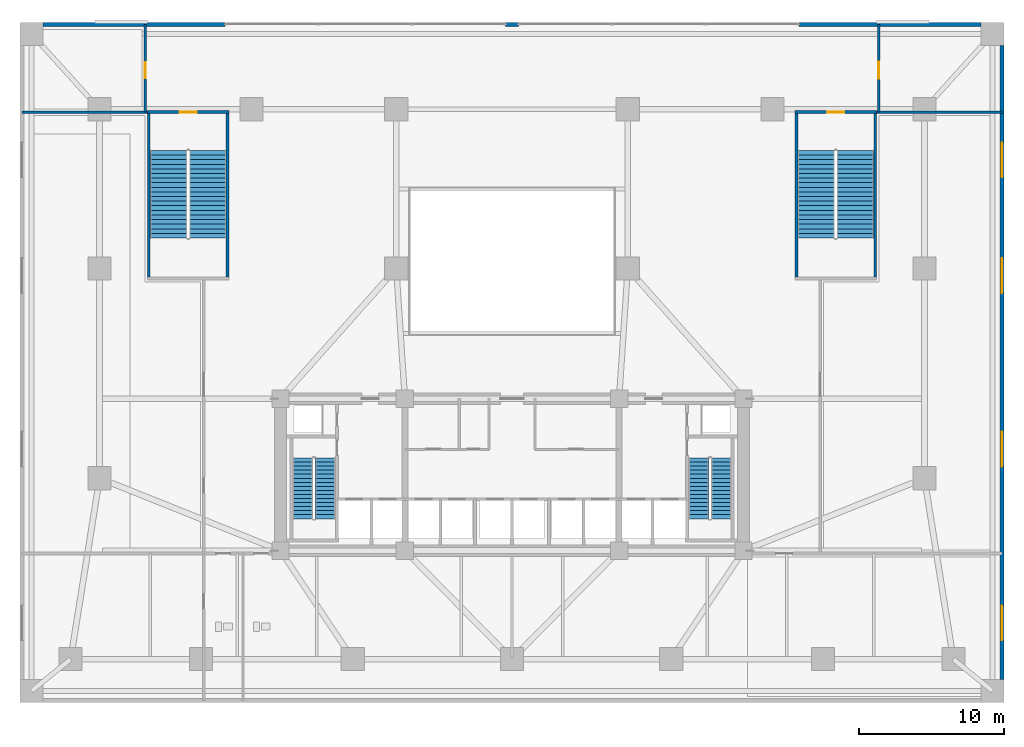
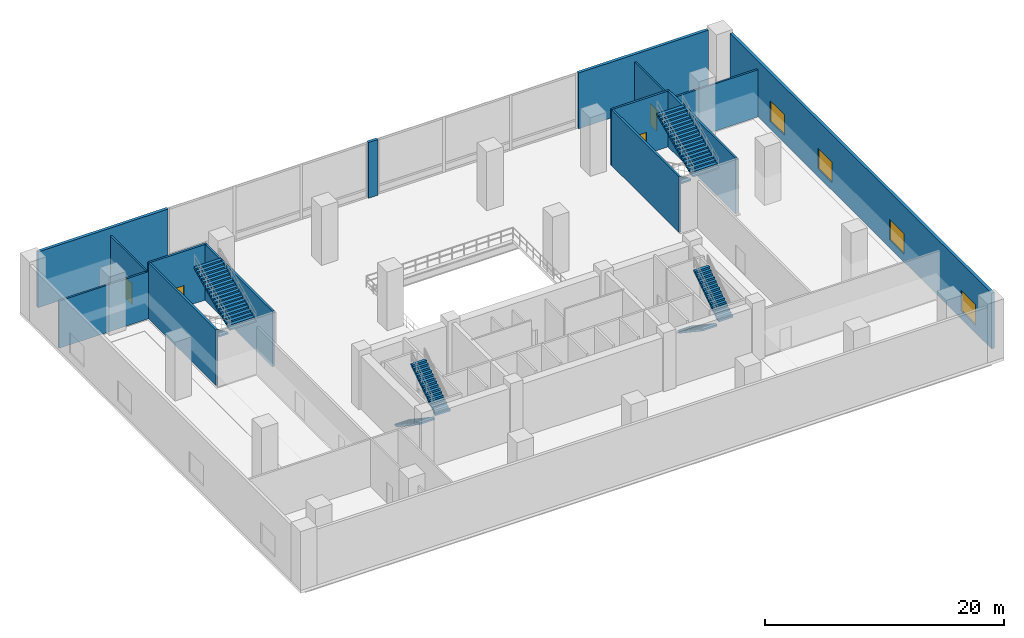
# One storey, part 9 of 16: 14 walls, 8 stair flights, 4 doors, 4 windows, 8 openings, 4 elements without a shape of their own.
"""IFC4 building model written with IfcOpenShell, lengths in metres."""

from ifc_helpers import new_model, si_unit, direction, frame, frame_2d, origin, place, context, subcontext, project, spatial, polyline, rectangle, outline, extrude, material, layer, layer_set, type_object, element, fill, aggregate, save


model = new_model("IFC4")

# Units and contexts
model_context = context("Model", 3, precision=1e-05, world=origin(), true_north=direction((0.0, 1.0)))
body_context = subcontext(model_context, "Body", "Model", "MODEL_VIEW")
ifc_project = project(units=[si_unit("LENGTHUNIT", "METRE"), si_unit("AREAUNIT", "SQUARE_METRE"), si_unit("VOLUMEUNIT", "CUBIC_METRE"), si_unit("PLANEANGLEUNIT", "RADIAN"), si_unit("MASSUNIT", "GRAM", prefix="KILO")], contexts=[model_context])

# Site, building, storey
site_placement = place(None, origin())
site = spatial("IfcSite", under=ifc_project, at=site_placement, CompositionType="ELEMENT")
building_placement = place(site_placement, origin())
building = spatial("IfcBuilding", under=site, at=building_placement, Name="Solmavex Isthmus Hotel", CompositionType="ELEMENT")
storey_placement = place(building_placement, frame((0.0, 0.0, 5.39990234375)))
storey = spatial("IfcBuildingStorey", under=building, at=storey_placement, Name="L02", CompositionType="ELEMENT", Elevation=5.39990234375)

# Walls
ifc_material_1 = material(Name="Precast Concrete C40/50", Category="concrete")
ifc_layer_1 = layer(ifc_material_1, 0.280029296875)
ifc_layer_set_1 = layer_set([ifc_layer_1], Name="Precast Concrete C40/50")
wall_type_1 = type_object("IfcWallType", Name="EW-POD-280", PredefinedType="STANDARD", material=ifc_layer_set_1)
for number, where, z_axis, x_axis, name in (
    (1, (-32.39990234375, 23.360107421875, 0.0), (0.0, 0.0, 1.0), (1.0, 0.0, 0.0), "Podium Facade Wall NW L02"),
    (2, (19.840087890625, 23.360107421875, 0.0), (0.0, 0.0, 1.0), (1.0, 0.0, 0.0), "Podium Facade Wall NE L02"),
):
    element("IfcWall", number, at=place(storey_placement, frame(where, z_axis=z_axis, x_axis=x_axis)), inside=storey, type_object=wall_type_1, Name=name, PredefinedType="STANDARD", context=body_context, shape_type="SweptSolid", body=[
        extrude(rectangle(XDim=12.559814453125, YDim=0.280029296875, at=frame_2d((6.27978515625, 0.0))), origin(), (0.0, 0.0, 1.0), 5.7001953125),
    ])
wall_1_placement = place(storey_placement, frame((-0.449951171875, 23.360107421875, 0.0), z_axis=(0.0, 0.0, 1.0), x_axis=(1.0, 0.0, 0.0)))
element("IfcWall", 3, at=wall_1_placement, inside=storey, type_object=wall_type_1, Name="Podium Atrium Center Pier L02", PredefinedType="STANDARD", context=body_context, shape_type="SweptSolid", body=[
    extrude(rectangle(XDim=0.89990234375, YDim=0.280029296875, at=frame_2d((0.449951171875, 0.0))), origin(), (0.0, 0.0, 1.0), 5.7001953125),
])

# Wall, openings, windows
wall_2_placement = place(storey_placement, frame((33.860107421875, -21.89990234375, 0.0), z_axis=(0.0, 0.0, 1.0), x_axis=(0.0, 1.0, 0.0)))
wall_2 = element("IfcWall", 4, at=wall_2_placement, inside=storey, type_object=wall_type_1, Name="Podium Facade Wall East L02", PredefinedType="STANDARD", context=body_context, shape_type="SweptSolid", body=[
    extrude(rectangle(XDim=43.7998046875, YDim=0.280029296875, at=frame_2d((21.89990234375, 0.0))), origin(), (0.0, 0.0, 1.0), 5.7001953125),
])
opening_1_placement = place(wall_2_placement, frame((2.699951171875, 0.0, 0.800048828125)))
opening_1 = element("IfcOpeningElement", 5, at=opening_1_placement, cuts=wall_2, Name="Opening WN-01", PredefinedType="OPENING", context=body_context, shape_type="SweptSolid", body=[
    extrude(rectangle(XDim=2.39990234375, YDim=2.10009765625, at=frame_2d((1.199951171875, 1.050048828125))), frame((0.0, 0.14990234375, 0.0), z_axis=(0.0, -1.0, 0.0), x_axis=(1.0, 0.0, 0.0)), (0.0, 0.0, 1.0), 0.300048828125),
])
opening_2_placement = place(wall_2_placement, frame((14.699951171875, 0.0, 0.800048828125)))
opening_2 = element("IfcOpeningElement", 6, at=opening_2_placement, cuts=wall_2, Name="Opening WN-01", PredefinedType="OPENING", context=body_context, shape_type="SweptSolid", body=[
    extrude(rectangle(XDim=2.39990234375, YDim=2.10009765625, at=frame_2d((1.199951171875, 1.050048828125))), frame((0.0, 0.14990234375, 0.0), z_axis=(0.0, -1.0, 0.0), x_axis=(1.0, 0.0, 0.0)), (0.0, 0.0, 1.0), 0.300048828125),
])
opening_3_placement = place(wall_2_placement, frame((26.699951171875, 0.0, 0.800048828125)))
opening_3 = element("IfcOpeningElement", 7, at=opening_3_placement, cuts=wall_2, Name="Opening WN-01", PredefinedType="OPENING", context=body_context, shape_type="SweptSolid", body=[
    extrude(rectangle(XDim=2.39990234375, YDim=2.10009765625, at=frame_2d((1.199951171875, 1.050048828125))), frame((0.0, 0.14990234375, 0.0), z_axis=(0.0, -1.0, 0.0), x_axis=(1.0, 0.0, 0.0)), (0.0, 0.0, 1.0), 0.300048828125),
])
opening_4_placement = place(wall_2_placement, frame((34.699951171875, 0.0, 0.800048828125)))
opening_4 = element("IfcOpeningElement", 8, at=opening_4_placement, cuts=wall_2, Name="Opening WN-01", PredefinedType="OPENING", context=body_context, shape_type="SweptSolid", body=[
    extrude(rectangle(XDim=2.39990234375, YDim=2.10009765625, at=frame_2d((1.199951171875, 1.050048828125))), frame((0.0, 0.14990234375, 0.0), z_axis=(0.0, -1.0, 0.0), x_axis=(1.0, 0.0, 0.0)), (0.0, 0.0, 1.0), 0.300048828125),
])
ifc_material_2 = material(Name="Clear low-E laminated glass", Category="glass")
window_type = type_object("IfcWindowType", Name="WIN-POD-2400", PartitioningType="SINGLE_PANEL", PredefinedType="WINDOW", material=ifc_material_2)
window_1_placement = place(opening_1_placement, origin())
window_1 = element("IfcWindow", 9, at=window_1_placement, inside=storey, type_object=window_type, Name="Podium Ballroom Window L02-E1", OverallHeight=2.10009765625, OverallWidth=2.39990234375, PartitioningType="SINGLE_PANEL", PredefinedType="WINDOW", context=body_context, shape_type="SweptSolid", body=[
    extrude(rectangle(XDim=2.39990234375, YDim=2.10009765625, at=frame_2d((1.199951171875, 1.050048828125))), frame((0.0, 0.030029296875, 0.0), z_axis=(0.0, -1.0, 0.0), x_axis=(1.0, 0.0, 0.0)), (0.0, 0.0, 1.0), 0.06005859375),
])
fill(opening_1, window_1)
window_2_placement = place(opening_2_placement, origin())
window_2 = element("IfcWindow", 10, at=window_2_placement, inside=storey, type_object=window_type, Name="Podium Ballroom Window L02-E2", OverallHeight=2.10009765625, OverallWidth=2.39990234375, PartitioningType="SINGLE_PANEL", PredefinedType="WINDOW", context=body_context, shape_type="SweptSolid", body=[
    extrude(rectangle(XDim=2.39990234375, YDim=2.10009765625, at=frame_2d((1.199951171875, 1.050048828125))), frame((0.0, 0.030029296875, 0.0), z_axis=(0.0, -1.0, 0.0), x_axis=(1.0, 0.0, 0.0)), (0.0, 0.0, 1.0), 0.06005859375),
])
fill(opening_2, window_2)
window_3_placement = place(opening_3_placement, origin())
window_3 = element("IfcWindow", 11, at=window_3_placement, inside=storey, type_object=window_type, Name="Podium Ballroom Window L02-E3", OverallHeight=2.10009765625, OverallWidth=2.39990234375, PartitioningType="SINGLE_PANEL", PredefinedType="WINDOW", context=body_context, shape_type="SweptSolid", body=[
    extrude(rectangle(XDim=2.39990234375, YDim=2.10009765625, at=frame_2d((1.199951171875, 1.050048828125))), frame((0.0, 0.030029296875, 0.0), z_axis=(0.0, -1.0, 0.0), x_axis=(1.0, 0.0, 0.0)), (0.0, 0.0, 1.0), 0.06005859375),
])
fill(opening_3, window_3)
window_4_placement = place(opening_4_placement, origin())
window_4 = element("IfcWindow", 12, at=window_4_placement, inside=storey, type_object=window_type, Name="Podium Ballroom Window L02-E4", OverallHeight=2.10009765625, OverallWidth=2.39990234375, PartitioningType="SINGLE_PANEL", PredefinedType="WINDOW", context=body_context, shape_type="SweptSolid", body=[
    extrude(rectangle(XDim=2.39990234375, YDim=2.10009765625, at=frame_2d((1.199951171875, 1.050048828125))), frame((0.0, 0.030029296875, 0.0), z_axis=(0.0, -1.0, 0.0), x_axis=(1.0, 0.0, 0.0)), (0.0, 0.0, 1.0), 0.06005859375),
])
fill(opening_4, window_4)

# Wall, opening, door
ifc_material_3 = material(Name="Gypsum plasterboard lining", Category="gypsum")
ifc_layer_2 = layer(ifc_material_3, 0.159912109375)
ifc_layer_set_2 = layer_set([ifc_layer_2], Name="Gypsum plasterboard lining")
wall_type_2 = type_object("IfcWallType", Name="IW-COMP-160", PredefinedType="PARTITIONING", material=ifc_layer_set_2)
wall_3_placement = place(storey_placement, frame((-25.35009765625, 17.300048828125, 0.0), z_axis=(0.0, 0.0, 1.0), x_axis=(0.0, 1.0, 0.0)))
wall_3 = element("IfcWall", 13, at=wall_3_placement, inside=storey, type_object=wall_type_2, Name="Interior Partition Wall W-L02-NORTH-WV", PredefinedType="PARTITIONING", context=body_context, shape_type="SweptSolid", body=[
    extrude(rectangle(XDim=6.06005859375, YDim=0.159912109375, at=frame_2d((3.030029296875, 0.0))), origin(), (0.0, 0.0, 1.0), 4.911865234375),
])
opening_5_placement = place(wall_3_placement, frame((2.35009765625, 0.0, 0.0)))
opening_5 = element("IfcOpeningElement", 14, at=opening_5_placement, cuts=wall_3, Name="Opening ID-C110", PredefinedType="OPENING", context=body_context, shape_type="SweptSolid", body=[
    extrude(rectangle(XDim=1.10009765625, YDim=2.14990234375, at=frame_2d((0.550048828125, 1.074951171875))), frame((0.0, 0.08984375, 0.0), z_axis=(0.0, -1.0, 0.0), x_axis=(1.0, 0.0, 0.0)), (0.0, 0.0, 1.0), 0.179931640625),
])
ifc_material_4 = material(Name="Hardwood timber", Category="wood")
door_type_1 = type_object("IfcDoorType", Name="IDR-FD60-1100", OperationType="NOTDEFINED", PredefinedType="DOOR", material=ifc_material_4)
door_1_placement = place(opening_5_placement, origin())
door_1 = element("IfcDoor", 15, at=door_1_placement, inside=storey, type_object=door_type_1, Name="VIP Coat Room Door L02", OperationType="SINGLE_SWING_RIGHT", OverallHeight=2.14990234375, OverallWidth=1.10009765625, PredefinedType="DOOR", context=body_context, shape_type="SweptSolid", body=[
    extrude(rectangle(XDim=1.10009765625, YDim=2.14990234375, at=frame_2d((0.550048828125, 1.074951171875))), frame((0.0, 0.02490234375, 0.0), z_axis=(0.0, -1.0, 0.0), x_axis=(1.0, 0.0, 0.0)), (0.0, 0.0, 1.0), 0.050048828125),
])
fill(opening_5, door_1)

wall_4_placement = place(storey_placement, frame((25.35009765625, 17.300048828125, 0.0), z_axis=(0.0, 0.0, 1.0), x_axis=(0.0, 1.0, 0.0)))
wall_4 = element("IfcWall", 16, at=wall_4_placement, inside=storey, type_object=wall_type_2, Name="Interior Partition Wall W-L02-NORTH-EV", PredefinedType="PARTITIONING", context=body_context, shape_type="SweptSolid", body=[
    extrude(rectangle(XDim=6.06005859375, YDim=0.159912109375, at=frame_2d((3.030029296875, 0.0))), origin(), (0.0, 0.0, 1.0), 4.911865234375),
])
opening_6_placement = place(wall_4_placement, frame((2.324951171875, 0.0, 0.0)))
opening_6 = element("IfcOpeningElement", 17, at=opening_6_placement, cuts=wall_4, Name="Opening ID-C115", PredefinedType="OPENING", context=body_context, shape_type="SweptSolid", body=[
    extrude(rectangle(XDim=1.14990234375, YDim=2.199951171875, at=frame_2d((0.574951171875, 1.10009765625))), frame((0.0, 0.08984375, 0.0), z_axis=(0.0, -1.0, 0.0), x_axis=(1.0, 0.0, 0.0)), (0.0, 0.0, 1.0), 0.179931640625),
])
door_type_2 = type_object("IfcDoorType", Name="IDR-FD60-1150", OperationType="NOTDEFINED", PredefinedType="DOOR", material=ifc_material_4)
door_2_placement = place(opening_6_placement, origin())
door_2 = element("IfcDoor", 18, at=door_2_placement, inside=storey, type_object=door_type_2, Name="Ballroom Store Door L02", OperationType="SINGLE_SWING_LEFT", OverallHeight=2.199951171875, OverallWidth=1.14990234375, PredefinedType="DOOR", context=body_context, shape_type="SweptSolid", body=[
    extrude(rectangle(XDim=1.14990234375, YDim=2.199951171875, at=frame_2d((0.574951171875, 1.10009765625))), frame((0.0, 0.02490234375, 0.0), z_axis=(0.0, -1.0, 0.0), x_axis=(1.0, 0.0, 0.0)), (0.0, 0.0, 1.0), 0.050048828125),
])
fill(opening_6, door_2)

# Walls
ifc_material_5 = material(Name="Concrete C40/50", Category="concrete")
ifc_layer_3 = layer(ifc_material_5, 0.179931640625)
ifc_layer_set_3 = layer_set([ifc_layer_3], Name="Concrete C40/50")
wall_type_3 = type_object("IfcWallType", Name="IW-SHAFT-180", PredefinedType="PARTITIONING", material=ifc_layer_set_3)
for number, where, z_axis, x_axis, name in (
    (19, (-33.860107421875, 17.300048828125, 0.0), (0.0, 0.0, 1.0), (1.0, 0.0, 0.0), "Interior Partition Wall W-L02-NORTH-W"),
    (20, (25.199951171875, 17.300048828125, 0.0), (0.0, 0.0, 1.0), (1.0, 0.0, 0.0), "Interior Partition Wall W-L02-NORTH-E"),
):
    element("IfcWall", number, at=place(storey_placement, frame(where, z_axis=z_axis, x_axis=x_axis)), inside=storey, type_object=wall_type_3, Name=name, PredefinedType="PARTITIONING", context=body_context, shape_type="SweptSolid", body=[
        extrude(rectangle(XDim=8.66015625, YDim=0.179931640625, at=frame_2d((4.330078125, 0.0))), origin(), (0.0, 0.0, 1.0), 4.82958984375),
    ])

# Wall, opening, door
ifc_layer_4 = layer(ifc_material_5, 0.199951171875)
ifc_layer_set_4 = layer_set([ifc_layer_4], Name="Concrete C40/50")
wall_type_4 = type_object("IfcWallType", Name="WALL-SW-200", PredefinedType="SOLIDWALL", material=ifc_layer_set_4)
wall_5_placement = place(storey_placement, frame((19.550048828125, 17.300048828125, 0.0), z_axis=(0.0, 0.0, 1.0), x_axis=(1.0, 0.0, 0.0)))
wall_5 = element("IfcWall", 21, at=wall_5_placement, inside=storey, type_object=wall_type_4, Name="Stairwell Structural Wall SW-L02-ST3-N", PredefinedType="SOLIDWALL", context=body_context, shape_type="SweptSolid", body=[
    extrude(rectangle(XDim=5.64990234375, YDim=0.199951171875, at=frame_2d((2.824951171875, 0.0))), origin(), (0.0, 0.0, 1.0), 5.7001953125),
])
opening_7_placement = place(wall_5_placement, frame((2.25, 0.0, 0.0)))
opening_7 = element("IfcOpeningElement", 22, at=opening_7_placement, cuts=wall_5, Name="Opening ID-F115", PredefinedType="OPENING", context=body_context, shape_type="SweptSolid", body=[
    extrude(rectangle(XDim=1.14990234375, YDim=2.199951171875, at=frame_2d((0.574951171875, 1.10009765625))), frame((0.0, 0.10986328125, 0.0), z_axis=(0.0, -1.0, 0.0), x_axis=(1.0, 0.0, 0.0)), (0.0, 0.0, 1.0), 0.219970703125),
])
ifc_material_6 = material(Name="Steel ASTM A500 Grade C", Category="steel")
door_type_3 = type_object("IfcDoorType", Name="IDR-FD90-1150", OperationType="NOTDEFINED", PredefinedType="DOOR", material=ifc_material_6)
door_3_placement = place(opening_7_placement, origin())
door_3 = element("IfcDoor", 23, at=door_3_placement, inside=storey, type_object=door_type_3, Name="Podium Stair ST3 Fire Door L02", OperationType="SINGLE_SWING_LEFT", OverallHeight=2.199951171875, OverallWidth=1.14990234375, PredefinedType="DOOR", context=body_context, shape_type="SweptSolid", body=[
    extrude(rectangle(XDim=1.14990234375, YDim=2.199951171875, at=frame_2d((0.574951171875, 1.10009765625))), frame((0.0, 0.02490234375, 0.0), z_axis=(0.0, -1.0, 0.0), x_axis=(1.0, 0.0, 0.0)), (0.0, 0.0, 1.0), 0.050048828125),
])
fill(opening_7, door_3)

# Walls
for number, where, z_axis, x_axis, name in (
    (24, (19.64990234375, 5.89990234375, 0.0), (0.0, 0.0, 1.0), (0.0, 1.0, 0.0), "Stairwell Structural Wall SW-L02-ST3-W"),
    (25, (25.10009765625, 5.89990234375, 0.0), (0.0, 0.0, 1.0), (0.0, 1.0, 0.0), "Stairwell Structural Wall SW-L02-ST3-E"),
):
    element("IfcWall", number, at=place(storey_placement, frame(where, z_axis=z_axis, x_axis=x_axis)), inside=storey, type_object=wall_type_4, Name=name, PredefinedType="SOLIDWALL", context=body_context, shape_type="SweptSolid", body=[
        extrude(rectangle(XDim=11.300048828125, YDim=0.199951171875, at=frame_2d((5.64990234375, 0.0))), origin(), (0.0, 0.0, 1.0), 5.7001953125),
    ])

# Wall, opening, door
wall_6_placement = place(storey_placement, frame((-25.199951171875, 17.300048828125, 0.0), z_axis=(0.0, 0.0, 1.0), x_axis=(1.0, 0.0, 0.0)))
wall_6 = element("IfcWall", 26, at=wall_6_placement, inside=storey, type_object=wall_type_4, Name="Stairwell Structural Wall SW-L02-ST4-N", PredefinedType="SOLIDWALL", context=body_context, shape_type="SweptSolid", body=[
    extrude(rectangle(XDim=5.64990234375, YDim=0.199951171875, at=frame_2d((2.824951171875, 0.0))), origin(), (0.0, 0.0, 1.0), 5.7001953125),
])
opening_8_placement = place(wall_6_placement, frame((2.25, 0.0, 0.0)))
opening_8 = element("IfcOpeningElement", 27, at=opening_8_placement, cuts=wall_6, Name="Opening ID-F115", PredefinedType="OPENING", context=body_context, shape_type="SweptSolid", body=[
    extrude(rectangle(XDim=1.14990234375, YDim=2.199951171875, at=frame_2d((0.574951171875, 1.10009765625))), frame((0.0, 0.10986328125, 0.0), z_axis=(0.0, -1.0, 0.0), x_axis=(1.0, 0.0, 0.0)), (0.0, 0.0, 1.0), 0.219970703125),
])
door_4_placement = place(opening_8_placement, origin())
door_4 = element("IfcDoor", 28, at=door_4_placement, inside=storey, type_object=door_type_3, Name="Podium Stair ST4 Fire Door L02", OperationType="SINGLE_SWING_RIGHT", OverallHeight=2.199951171875, OverallWidth=1.14990234375, PredefinedType="DOOR", context=body_context, shape_type="SweptSolid", body=[
    extrude(rectangle(XDim=1.14990234375, YDim=2.199951171875, at=frame_2d((0.574951171875, 1.10009765625))), frame((0.0, 0.02490234375, 0.0), z_axis=(0.0, -1.0, 0.0), x_axis=(1.0, 0.0, 0.0)), (0.0, 0.0, 1.0), 0.050048828125),
])
fill(opening_8, door_4)

# Walls
for number, where, z_axis, x_axis, name in (
    (29, (-25.10009765625, 5.89990234375, 0.0), (0.0, 0.0, 1.0), (0.0, 1.0, 0.0), "Stairwell Structural Wall SW-L02-ST4-W"),
    (30, (-19.64990234375, 5.89990234375, 0.0), (0.0, 0.0, 1.0), (0.0, 1.0, 0.0), "Stairwell Structural Wall SW-L02-ST4-E"),
):
    element("IfcWall", number, at=place(storey_placement, frame(where, z_axis=z_axis, x_axis=x_axis)), inside=storey, type_object=wall_type_4, Name=name, PredefinedType="SOLIDWALL", context=body_context, shape_type="SweptSolid", body=[
        extrude(rectangle(XDim=11.300048828125, YDim=0.199951171875, at=frame_2d((5.64990234375, 0.0))), origin(), (0.0, 0.0, 1.0), 5.7001953125),
    ])

# Stair, stair flights
stair_type_1 = type_object("IfcStairType", Name="STR-ST-1", PredefinedType="HALF_TURN_STAIR", material=ifc_material_5)
stair_1_placement = place(storey_placement, origin())
stair_1 = element("IfcStair", 31, at=stair_1_placement, inside=storey, type_object=stair_type_1, Name="L02 Protected Exit Stair ST-1", PredefinedType="HALF_TURN_STAIR")
stair_flight_type_1 = type_object("IfcStairFlightType", Name="SFL-ST-1", PredefinedType="STRAIGHT", material=ifc_material_5)
stair_flight_1_placement = place(storey_placement, frame((-14.449951171875, -6.60009765625, 0.0), z_axis=(0.0, 0.0, 1.0), x_axis=(0.0, -1.0, 0.0)))
stair_flight_1 = element("IfcStairFlight", 32, at=stair_flight_1_placement, type_object=stair_flight_type_1, Name="ST-1 flight 1", NumberOfRisers=16, NumberOfTreads=15, PredefinedType="STRAIGHT", RiserHeight=0.1875, TreadLength=0.28, context=body_context, shape_type="SweptSolid", body=[
    extrude(outline(polyline([(0.0, 0.0), (0.0, 0.1875), (0.280029296875, 0.1875), (0.280029296875, 0.375), (0.56005859375, 0.375), (0.56005859375, 0.5625), (0.840087890625, 0.5625), (0.840087890625, 0.75), (1.1201171875, 0.75), (1.1201171875, 0.9375), (1.39990234375, 0.9375), (1.39990234375, 1.125), (1.679931640625, 1.125), (1.679931640625, 1.3125), (1.9599609375, 1.3125), (1.9599609375, 1.5), (2.239990234375, 1.5), (2.239990234375, 1.6875), (2.52001953125, 1.6875), (2.52001953125, 1.875), (2.800048828125, 1.875), (2.800048828125, 2.0625), (3.080078125, 2.0625), (3.080078125, 2.25), (3.360107421875, 2.25), (3.360107421875, 2.4375), (3.639892578125, 2.4375), (3.639892578125, 2.625), (3.919921875, 2.625), (3.919921875, 2.8125), (4.199951171875, 2.8125), (4.199951171875, 3.0), (4.199951171875, 2.632080078125), (0.26953125, 0.0), (0.0, 0.0)])), frame((0.0, 0.699951171875, 0.0), z_axis=(0.0, -1.0, 0.0), x_axis=(1.0, 0.0, 0.0)), (0.0, 0.0, 1.0), 1.39990234375),
])
stair_flight_2_placement = place(storey_placement, frame((-12.89990234375, -10.800048828125, 3.0), z_axis=(0.0, 0.0, 1.0), x_axis=(0.0, 1.0, 0.0)))
stair_flight_2 = element("IfcStairFlight", 33, at=stair_flight_2_placement, type_object=stair_flight_type_1, Name="ST-1 flight 2", NumberOfRisers=16, NumberOfTreads=15, PredefinedType="STRAIGHT", RiserHeight=0.1875, TreadLength=0.28, context=body_context, shape_type="SweptSolid", body=[
    extrude(outline(polyline([(0.0, 0.0), (0.0, 0.1875), (0.280029296875, 0.1875), (0.280029296875, 0.375), (0.56005859375, 0.375), (0.56005859375, 0.5625), (0.840087890625, 0.5625), (0.840087890625, 0.75), (1.1201171875, 0.75), (1.1201171875, 0.9375), (1.39990234375, 0.9375), (1.39990234375, 1.125), (1.679931640625, 1.125), (1.679931640625, 1.3125), (1.9599609375, 1.3125), (1.9599609375, 1.5), (2.239990234375, 1.5), (2.239990234375, 1.6875), (2.52001953125, 1.6875), (2.52001953125, 1.875), (2.800048828125, 1.875), (2.800048828125, 2.0625), (3.080078125, 2.0625), (3.080078125, 2.25), (3.360107421875, 2.25), (3.360107421875, 2.4375), (3.639892578125, 2.4375), (3.639892578125, 2.625), (3.919921875, 2.625), (3.919921875, 2.8125), (4.199951171875, 2.8125), (4.199951171875, 3.0), (4.199951171875, 2.632080078125), (0.26953125, 0.0), (0.0, 0.0)])), frame((0.0, 0.699951171875, 0.0), z_axis=(0.0, -1.0, 0.0), x_axis=(1.0, 0.0, 0.0)), (0.0, 0.0, 1.0), 1.39990234375),
])
aggregate(stair_1, [stair_flight_1, stair_flight_2])

stair_type_2 = type_object("IfcStairType", Name="STR-ST-2", PredefinedType="HALF_TURN_STAIR", material=ifc_material_5)
stair_2_placement = place(storey_placement, origin())
stair_2 = element("IfcStair", 34, at=stair_2_placement, inside=storey, type_object=stair_type_2, Name="L02 Protected Exit Stair ST-2", PredefinedType="HALF_TURN_STAIR")
stair_flight_type_2 = type_object("IfcStairFlightType", Name="SFL-ST-2", PredefinedType="STRAIGHT", material=ifc_material_5)
stair_flight_3_placement = place(storey_placement, frame((12.89990234375, -6.60009765625, 0.0), z_axis=(0.0, 0.0, 1.0), x_axis=(0.0, -1.0, 0.0)))
stair_flight_3 = element("IfcStairFlight", 35, at=stair_flight_3_placement, type_object=stair_flight_type_2, Name="ST-2 flight 1", NumberOfRisers=16, NumberOfTreads=15, PredefinedType="STRAIGHT", RiserHeight=0.1875, TreadLength=0.28, context=body_context, shape_type="SweptSolid", body=[
    extrude(outline(polyline([(0.0, 0.0), (0.0, 0.1875), (0.280029296875, 0.1875), (0.280029296875, 0.375), (0.56005859375, 0.375), (0.56005859375, 0.5625), (0.840087890625, 0.5625), (0.840087890625, 0.75), (1.1201171875, 0.75), (1.1201171875, 0.9375), (1.39990234375, 0.9375), (1.39990234375, 1.125), (1.679931640625, 1.125), (1.679931640625, 1.3125), (1.9599609375, 1.3125), (1.9599609375, 1.5), (2.239990234375, 1.5), (2.239990234375, 1.6875), (2.52001953125, 1.6875), (2.52001953125, 1.875), (2.800048828125, 1.875), (2.800048828125, 2.0625), (3.080078125, 2.0625), (3.080078125, 2.25), (3.360107421875, 2.25), (3.360107421875, 2.4375), (3.639892578125, 2.4375), (3.639892578125, 2.625), (3.919921875, 2.625), (3.919921875, 2.8125), (4.199951171875, 2.8125), (4.199951171875, 3.0), (4.199951171875, 2.632080078125), (0.26953125, 0.0), (0.0, 0.0)])), frame((0.0, 0.699951171875, 0.0), z_axis=(0.0, -1.0, 0.0), x_axis=(1.0, 0.0, 0.0)), (0.0, 0.0, 1.0), 1.39990234375),
])
stair_flight_4_placement = place(storey_placement, frame((14.449951171875, -10.800048828125, 3.0), z_axis=(0.0, 0.0, 1.0), x_axis=(0.0, 1.0, 0.0)))
stair_flight_4 = element("IfcStairFlight", 36, at=stair_flight_4_placement, type_object=stair_flight_type_2, Name="ST-2 flight 2", NumberOfRisers=16, NumberOfTreads=15, PredefinedType="STRAIGHT", RiserHeight=0.1875, TreadLength=0.28, context=body_context, shape_type="SweptSolid", body=[
    extrude(outline(polyline([(0.0, 0.0), (0.0, 0.1875), (0.280029296875, 0.1875), (0.280029296875, 0.375), (0.56005859375, 0.375), (0.56005859375, 0.5625), (0.840087890625, 0.5625), (0.840087890625, 0.75), (1.1201171875, 0.75), (1.1201171875, 0.9375), (1.39990234375, 0.9375), (1.39990234375, 1.125), (1.679931640625, 1.125), (1.679931640625, 1.3125), (1.9599609375, 1.3125), (1.9599609375, 1.5), (2.239990234375, 1.5), (2.239990234375, 1.6875), (2.52001953125, 1.6875), (2.52001953125, 1.875), (2.800048828125, 1.875), (2.800048828125, 2.0625), (3.080078125, 2.0625), (3.080078125, 2.25), (3.360107421875, 2.25), (3.360107421875, 2.4375), (3.639892578125, 2.4375), (3.639892578125, 2.625), (3.919921875, 2.625), (3.919921875, 2.8125), (4.199951171875, 2.8125), (4.199951171875, 3.0), (4.199951171875, 2.632080078125), (0.26953125, 0.0), (0.0, 0.0)])), frame((0.0, 0.699951171875, 0.0), z_axis=(0.0, -1.0, 0.0), x_axis=(1.0, 0.0, 0.0)), (0.0, 0.0, 1.0), 1.39990234375),
])
aggregate(stair_2, [stair_flight_3, stair_flight_4])

stair_type_3 = type_object("IfcStairType", Name="STR-ST-3", PredefinedType="HALF_TURN_STAIR", material=ifc_material_5)
stair_3_placement = place(storey_placement, origin())
stair_3 = element("IfcStair", 37, at=stair_3_placement, inside=storey, type_object=stair_type_3, Name="L02 Podium Assembly Exit Stair ST-3", PredefinedType="HALF_TURN_STAIR")
stair_flight_type_3 = type_object("IfcStairFlightType", Name="SFL-ST-3", PredefinedType="STRAIGHT", material=ifc_material_5)
stair_flight_5_placement = place(storey_placement, frame((21.02490234375, 14.64990234375, 0.0), z_axis=(0.0, 0.0, 1.0), x_axis=(0.0, -1.0, 0.0)))
stair_flight_5 = element("IfcStairFlight", 38, at=stair_flight_5_placement, type_object=stair_flight_type_3, Name="ST-3 flight 1", NumberOfRisers=20, NumberOfTreads=19, PredefinedType="STRAIGHT", RiserHeight=0.15, TreadLength=0.318, context=body_context, shape_type="SweptSolid", body=[
    extrude(outline(polyline([(0.0, 0.0), (0.0, 0.14990234375), (0.318115234375, 0.14990234375), (0.318115234375, 0.300048828125), (0.635986328125, 0.300048828125), (0.635986328125, 0.449951171875), (0.9541015625, 0.449951171875), (0.9541015625, 0.60009765625), (1.27197265625, 0.60009765625), (1.27197265625, 0.75), (1.590087890625, 0.75), (1.590087890625, 0.89990234375), (1.907958984375, 0.89990234375), (1.907958984375, 1.050048828125), (2.22607421875, 1.050048828125), (2.22607421875, 1.199951171875), (2.5439453125, 1.199951171875), (2.5439453125, 1.35009765625), (2.862060546875, 1.35009765625), (2.862060546875, 1.5), (3.179931640625, 1.5), (3.179931640625, 1.64990234375), (3.498046875, 1.64990234375), (3.498046875, 1.800048828125), (3.81591796875, 1.800048828125), (3.81591796875, 1.949951171875), (4.134033203125, 1.949951171875), (4.134033203125, 2.10009765625), (4.451904296875, 2.10009765625), (4.451904296875, 2.25), (4.77001953125, 2.25), (4.77001953125, 2.39990234375), (5.087890625, 2.39990234375), (5.087890625, 2.550048828125), (5.406005859375, 2.550048828125), (5.406005859375, 2.699951171875), (5.72412109375, 2.699951171875), (5.72412109375, 2.85009765625), (6.0419921875, 2.85009765625), (6.0419921875, 3.0), (6.0419921875, 2.684326171875), (0.351318359375, 0.0), (0.0, 0.0)])), frame((0.0, 1.27490234375, 0.0), z_axis=(0.0, -1.0, 0.0), x_axis=(1.0, 0.0, 0.0)), (0.0, 0.0, 1.0), 2.550048828125),
])
stair_flight_6_placement = place(storey_placement, frame((23.72509765625, 8.60791015625, 3.0), z_axis=(0.0, 0.0, 1.0), x_axis=(0.0, 1.0, 0.0)))
stair_flight_6 = element("IfcStairFlight", 39, at=stair_flight_6_placement, type_object=stair_flight_type_3, Name="ST-3 flight 2", NumberOfRisers=20, NumberOfTreads=19, PredefinedType="STRAIGHT", RiserHeight=0.15, TreadLength=0.318, context=body_context, shape_type="SweptSolid", body=[
    extrude(outline(polyline([(0.0, 0.0), (0.0, 0.14990234375), (0.318115234375, 0.14990234375), (0.318115234375, 0.300048828125), (0.635986328125, 0.300048828125), (0.635986328125, 0.449951171875), (0.9541015625, 0.449951171875), (0.9541015625, 0.60009765625), (1.27197265625, 0.60009765625), (1.27197265625, 0.75), (1.590087890625, 0.75), (1.590087890625, 0.89990234375), (1.907958984375, 0.89990234375), (1.907958984375, 1.050048828125), (2.22607421875, 1.050048828125), (2.22607421875, 1.199951171875), (2.5439453125, 1.199951171875), (2.5439453125, 1.35009765625), (2.862060546875, 1.35009765625), (2.862060546875, 1.5), (3.179931640625, 1.5), (3.179931640625, 1.64990234375), (3.498046875, 1.64990234375), (3.498046875, 1.800048828125), (3.81591796875, 1.800048828125), (3.81591796875, 1.949951171875), (4.134033203125, 1.949951171875), (4.134033203125, 2.10009765625), (4.451904296875, 2.10009765625), (4.451904296875, 2.25), (4.77001953125, 2.25), (4.77001953125, 2.39990234375), (5.087890625, 2.39990234375), (5.087890625, 2.550048828125), (5.406005859375, 2.550048828125), (5.406005859375, 2.699951171875), (5.72412109375, 2.699951171875), (5.72412109375, 2.85009765625), (6.0419921875, 2.85009765625), (6.0419921875, 3.0), (6.0419921875, 2.684326171875), (0.351318359375, 0.0), (0.0, 0.0)])), frame((0.0, 1.27490234375, 0.0), z_axis=(0.0, -1.0, 0.0), x_axis=(1.0, 0.0, 0.0)), (0.0, 0.0, 1.0), 2.550048828125),
])
aggregate(stair_3, [stair_flight_5, stair_flight_6])

stair_type_4 = type_object("IfcStairType", Name="STR-ST-4", PredefinedType="HALF_TURN_STAIR", material=ifc_material_5)
stair_4_placement = place(storey_placement, origin())
stair_4 = element("IfcStair", 40, at=stair_4_placement, inside=storey, type_object=stair_type_4, Name="L02 Podium Assembly Exit Stair ST-4", PredefinedType="HALF_TURN_STAIR")
stair_flight_type_4 = type_object("IfcStairFlightType", Name="SFL-ST-4", PredefinedType="STRAIGHT", material=ifc_material_5)
stair_flight_7_placement = place(storey_placement, frame((-23.72509765625, 14.64990234375, 0.0), z_axis=(0.0, 0.0, 1.0), x_axis=(0.0, -1.0, 0.0)))
stair_flight_7 = element("IfcStairFlight", 41, at=stair_flight_7_placement, type_object=stair_flight_type_4, Name="ST-4 flight 1", NumberOfRisers=20, NumberOfTreads=19, PredefinedType="STRAIGHT", RiserHeight=0.15, TreadLength=0.318, context=body_context, shape_type="SweptSolid", body=[
    extrude(outline(polyline([(0.0, 0.0), (0.0, 0.14990234375), (0.318115234375, 0.14990234375), (0.318115234375, 0.300048828125), (0.635986328125, 0.300048828125), (0.635986328125, 0.449951171875), (0.9541015625, 0.449951171875), (0.9541015625, 0.60009765625), (1.27197265625, 0.60009765625), (1.27197265625, 0.75), (1.590087890625, 0.75), (1.590087890625, 0.89990234375), (1.907958984375, 0.89990234375), (1.907958984375, 1.050048828125), (2.22607421875, 1.050048828125), (2.22607421875, 1.199951171875), (2.5439453125, 1.199951171875), (2.5439453125, 1.35009765625), (2.862060546875, 1.35009765625), (2.862060546875, 1.5), (3.179931640625, 1.5), (3.179931640625, 1.64990234375), (3.498046875, 1.64990234375), (3.498046875, 1.800048828125), (3.81591796875, 1.800048828125), (3.81591796875, 1.949951171875), (4.134033203125, 1.949951171875), (4.134033203125, 2.10009765625), (4.451904296875, 2.10009765625), (4.451904296875, 2.25), (4.77001953125, 2.25), (4.77001953125, 2.39990234375), (5.087890625, 2.39990234375), (5.087890625, 2.550048828125), (5.406005859375, 2.550048828125), (5.406005859375, 2.699951171875), (5.72412109375, 2.699951171875), (5.72412109375, 2.85009765625), (6.0419921875, 2.85009765625), (6.0419921875, 3.0), (6.0419921875, 2.684326171875), (0.351318359375, 0.0), (0.0, 0.0)])), frame((0.0, 1.27490234375, 0.0), z_axis=(0.0, -1.0, 0.0), x_axis=(1.0, 0.0, 0.0)), (0.0, 0.0, 1.0), 2.550048828125),
])
stair_flight_8_placement = place(storey_placement, frame((-21.02490234375, 8.60791015625, 3.0), z_axis=(0.0, 0.0, 1.0), x_axis=(0.0, 1.0, 0.0)))
stair_flight_8 = element("IfcStairFlight", 42, at=stair_flight_8_placement, type_object=stair_flight_type_4, Name="ST-4 flight 2", NumberOfRisers=20, NumberOfTreads=19, PredefinedType="STRAIGHT", RiserHeight=0.15, TreadLength=0.318, context=body_context, shape_type="SweptSolid", body=[
    extrude(outline(polyline([(0.0, 0.0), (0.0, 0.14990234375), (0.318115234375, 0.14990234375), (0.318115234375, 0.300048828125), (0.635986328125, 0.300048828125), (0.635986328125, 0.449951171875), (0.9541015625, 0.449951171875), (0.9541015625, 0.60009765625), (1.27197265625, 0.60009765625), (1.27197265625, 0.75), (1.590087890625, 0.75), (1.590087890625, 0.89990234375), (1.907958984375, 0.89990234375), (1.907958984375, 1.050048828125), (2.22607421875, 1.050048828125), (2.22607421875, 1.199951171875), (2.5439453125, 1.199951171875), (2.5439453125, 1.35009765625), (2.862060546875, 1.35009765625), (2.862060546875, 1.5), (3.179931640625, 1.5), (3.179931640625, 1.64990234375), (3.498046875, 1.64990234375), (3.498046875, 1.800048828125), (3.81591796875, 1.800048828125), (3.81591796875, 1.949951171875), (4.134033203125, 1.949951171875), (4.134033203125, 2.10009765625), (4.451904296875, 2.10009765625), (4.451904296875, 2.25), (4.77001953125, 2.25), (4.77001953125, 2.39990234375), (5.087890625, 2.39990234375), (5.087890625, 2.550048828125), (5.406005859375, 2.550048828125), (5.406005859375, 2.699951171875), (5.72412109375, 2.699951171875), (5.72412109375, 2.85009765625), (6.0419921875, 2.85009765625), (6.0419921875, 3.0), (6.0419921875, 2.684326171875), (0.351318359375, 0.0), (0.0, 0.0)])), frame((0.0, 1.27490234375, 0.0), z_axis=(0.0, -1.0, 0.0), x_axis=(1.0, 0.0, 0.0)), (0.0, 0.0, 1.0), 2.550048828125),
])
aggregate(stair_4, [stair_flight_7, stair_flight_8])

save(model, "model.ifc")
